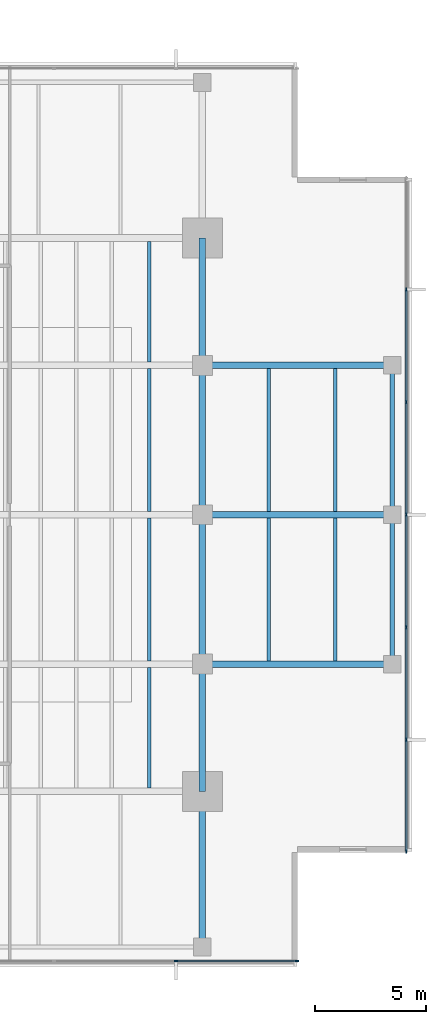
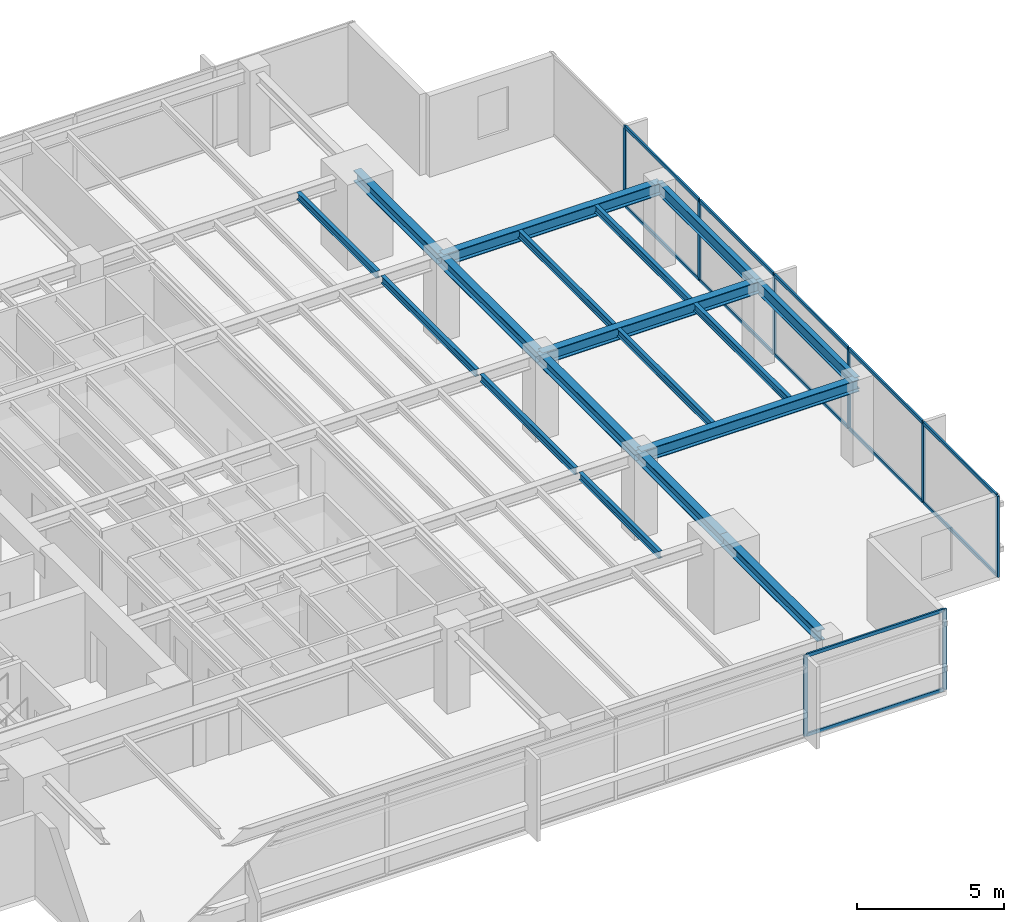
# One storey, part 4 of 14: 20 members, 18 beams, 2 elements without a shape of their own.
"""IFC4 building model written with IfcOpenShell, lengths in metres."""

import ifcopenshell
import ifcopenshell.guid

model = None  # the IFC model being written
_history = None  # IfcOwnerHistory: only IFC2X3 demands one
_inside = {}  # id of a spatial element -> (the spatial element, [elements in it])
_under = {}  # id of a project, library or spatial element -> (it, [spatial elements below it])
_declared = {}  # id of a project -> (the project, [libraries it declares])
_typed = {}  # id of a type object -> (the type object, [elements of that type])
_made_of = {}  # id of a material, layer set ... -> (it, [elements and type objects made of it])


def new_model(schema):
    """Start an empty IFC model of exactly this schema.

    Asked for "IFC4X3", IfcOpenShell would pick the latest addendum, in which some entities
    have other attributes; the version numbers below select the first issue.
    IFC2X3 requires an IfcOwnerHistory on every rooted entity: one is made here for all.
    """
    global model, _history
    if schema == "IFC4X3":
        model = ifcopenshell.file(schema_version=(4, 3, 0, 0))
    else:
        model = ifcopenshell.file(schema=schema)
    _inside.clear()
    _under.clear()
    _declared.clear()
    _typed.clear()
    _made_of.clear()
    _history = None
    if model.schema == "IFC2X3":
        org = make("IfcOrganization", Name="unknown")
        user = make(
            "IfcPersonAndOrganization",
            ThePerson=make("IfcPerson", FamilyName="unknown"),
            TheOrganization=org,
        )
        app = make(
            "IfcApplication",
            ApplicationDeveloper=org,
            Version="unknown",
            ApplicationFullName="unknown",
            ApplicationIdentifier="unknown",
        )
        _history = make(
            "IfcOwnerHistory",
            OwningUser=user,
            OwningApplication=app,
            ChangeAction="ADDED",
            CreationDate=0,
        )
    return model


def make(cls, **values):
    """One entity of the class cls with the attributes given. An attribute that is None is left unset."""
    return model.create_entity(
        cls, **{name: value for name, value in values.items() if value is not None}
    )


def rooted(cls, **values):
    """An entity with a GlobalId (a new one), such as an element, a storey or a relation."""
    return make(cls, GlobalId=ifcopenshell.guid.new(), OwnerHistory=_history, **values)


def si_unit(unit_type, name, prefix=None):
    """IfcSIUnit, for example si_unit("LENGTHUNIT", "METRE", prefix="MILLI")."""
    return make("IfcSIUnit", UnitType=unit_type, Prefix=prefix, Name=name)


def assignment(units):
    """IfcUnitAssignment: the units of a project."""
    return None if units is None else make("IfcUnitAssignment", Units=units)


def point(xyz):
    """IfcCartesianPoint."""
    return None if xyz is None else make("IfcCartesianPoint", Coordinates=xyz)


def direction(xyz):
    """IfcDirection."""
    return None if xyz is None else make("IfcDirection", DirectionRatios=xyz)


def frame(location, z_axis=None, x_axis=None):
    """IfcAxis2Placement3D, a coordinate frame: its origin and axes. An axis left out is left unset."""
    return make(
        "IfcAxis2Placement3D",
        Location=point(location),
        Axis=direction(z_axis),
        RefDirection=direction(x_axis),
    )


def frame_2d(location, x_axis=None):
    """IfcAxis2Placement2D, a coordinate frame in the plane: its origin and x axis."""
    return make(
        "IfcAxis2Placement2D", Location=point(location), RefDirection=direction(x_axis)
    )


def origin():
    """The frame at (0, 0, 0) with its axes left unset."""
    return frame((0.0, 0.0, 0.0))


def origin_2d():
    """The frame at (0, 0) in the plane with its x axis left unset."""
    return frame_2d((0.0, 0.0))


def place(relative_to, where):
    """IfcLocalPlacement: puts the frame where relative to a parent placement (None: the world)."""
    return make(
        "IfcLocalPlacement", PlacementRelTo=relative_to, RelativePlacement=where
    )


def context(
    kind, dimensions, precision=None, world=None, true_north=None, identifier=None
):
    """IfcGeometricRepresentationContext, for example the 3D "Model" context."""
    return make(
        "IfcGeometricRepresentationContext",
        ContextIdentifier=identifier,
        ContextType=kind,
        CoordinateSpaceDimension=dimensions,
        Precision=precision,
        WorldCoordinateSystem=world,
        TrueNorth=true_north,
    )


def subcontext(parent, identifier, kind, view, scale=None):
    """IfcGeometricRepresentationSubContext, for example "Body" below "Model"."""
    return make(
        "IfcGeometricRepresentationSubContext",
        ContextIdentifier=identifier,
        ContextType=kind,
        ParentContext=parent,
        TargetScale=scale,
        TargetView=view,
    )


def project(units=None, contexts=None):
    """IfcProject with its units and contexts."""
    return rooted(
        "IfcProject",
        Name="project",
        RepresentationContexts=contexts,
        UnitsInContext=assignment(units),
    )


def spatial(cls, under=None, at=None, **own):
    """A site, building, storey or space (cls), placed at a placement, below another one or the project."""
    s = rooted(cls, ObjectPlacement=at, **own)
    if under is not None:
        _under.setdefault(under.id(), (under, []))[1].append(s)
    return s


def profile(cls, at=None, kind="AREA", **sizes):
    """A parametric profile (cls). Its sizes go by their IFC names, for example OverallWidth=200.0."""
    return make(cls, ProfileType=kind, Position=at, **sizes)


def rectangle(**sizes):
    """IfcRectangleProfileDef."""
    return profile("IfcRectangleProfileDef", **sizes)


def i_section(**sizes):
    """IfcIShapeProfileDef."""
    return profile("IfcIShapeProfileDef", **sizes)


def extrude(swept, where, along, depth):
    """IfcExtrudedAreaSolid: the profile swept, set in the frame where, extruded along a direction by depth."""
    return make(
        "IfcExtrudedAreaSolid",
        SweptArea=swept,
        Position=where,
        ExtrudedDirection=direction(along),
        Depth=depth,
    )


def shape(context_of_items, identifier, shape_type, items):
    """IfcShapeRepresentation: the items that make up one representation, for example the "Body"."""
    return make(
        "IfcShapeRepresentation",
        ContextOfItems=context_of_items,
        RepresentationIdentifier=identifier,
        RepresentationType=shape_type,
        Items=items,
    )


def material(Name=None, Category=None):
    """IfcMaterial."""
    return make("IfcMaterial", Name=Name, Category=Category)


def layer(
    of_material, thickness, ventilated=None, Name=None, Category=None, Priority=None
):
    """IfcMaterialLayer: one layer of a wall or slab, of a material (None: an air gap)."""
    return make(
        "IfcMaterialLayer",
        Material=of_material,
        LayerThickness=thickness,
        IsVentilated=ventilated,
        Name=Name,
        Category=Category,
        Priority=Priority,
    )


def layer_set(layers, Name=None):
    """IfcMaterialLayerSet."""
    return make("IfcMaterialLayerSet", MaterialLayers=layers, LayerSetName=Name)


def material_profile(
    of_material, cross_section, Name=None, Category=None, Priority=None
):
    """IfcMaterialProfile: a cross section and its material."""
    return make(
        "IfcMaterialProfile",
        Name=Name,
        Material=of_material,
        Profile=cross_section,
        Priority=Priority,
        Category=Category,
    )


def profile_set(profiles, Name=None, composite=None):
    """IfcMaterialProfileSet."""
    return make(
        "IfcMaterialProfileSet",
        Name=Name,
        MaterialProfiles=profiles,
        CompositeProfile=composite,
    )


def made_of(thing, what):
    """Note that an element or type object is made of a material, layer set ...; save() writes the relation."""
    if what is not None:
        _made_of.setdefault(what.id(), (what, []))[1].append(thing)
    return thing


def type_object(cls, material=None, **own):
    """A type object (cls), such as IfcWallType, which elements share."""
    return made_of(rooted(cls, **own), material)


def element(
    cls,
    number,
    at=None,
    inside=None,
    cuts=None,
    type_object=None,
    material=None,
    context=None,
    identifier="Body",
    shape_type=None,
    held_by="IfcProductDefinitionShape",
    body=None,
    shapes=None,
    **own,
):
    """One element of the class cls, such as IfcWall. Its Tag is "e" and its number.

    at: its placement. inside: the storey or other place that contains it. cuts: it is an
    opening in that element (IfcRelVoidsElement). A single representation is given by context,
    identifier, shape_type and body (its items); several are given by shapes. held_by: the class
    of the entity that holds the representations. save() writes the other relations.
    """
    e = rooted(cls, Tag="e%d" % number, ObjectPlacement=at, **own)
    if body is not None:
        shapes = [shape(context, identifier, shape_type, body)]
    if shapes is not None:
        e.Representation = make(held_by, Representations=shapes)
    if inside is not None:
        _inside.setdefault(inside.id(), (inside, []))[1].append(e)
    if cuts is not None:
        rooted(
            "IfcRelVoidsElement", RelatingBuildingElement=cuts, RelatedOpeningElement=e
        )
    if type_object is not None:
        _typed.setdefault(type_object.id(), (type_object, []))[1].append(e)
    return made_of(e, material)


def aggregate(whole, parts):
    """IfcRelAggregates: a whole, such as a stair, and the parts it consists of."""
    return rooted("IfcRelAggregates", RelatingObject=whole, RelatedObjects=parts)


def save(model, path):
    """Write the relations noted so far, then the file.

    IfcRelAggregates (storeys below a building ...), IfcRelContainedInSpatialStructure (elements
    in a storey), IfcRelDefinesByType, IfcRelAssociatesMaterial and IfcRelDeclares: one each for
    every whole, place, type object, material and project.
    """
    for whole, parts in _under.values():
        aggregate(whole, parts)
    for where, things in _inside.values():
        rooted(
            "IfcRelContainedInSpatialStructure",
            RelatedElements=things,
            RelatingStructure=where,
        )
    for kind, things in _typed.values():
        rooted("IfcRelDefinesByType", RelatedObjects=things, RelatingType=kind)
    for what, things in _made_of.values():
        rooted("IfcRelAssociatesMaterial", RelatedObjects=things, RelatingMaterial=what)
    for by, libraries in _declared.values():
        rooted("IfcRelDeclares", RelatingContext=by, RelatedDefinitions=libraries)
    model.write(path)


model = new_model("IFC4")

# Units and contexts
model_context = context("Model", 3, precision=1e-05, world=origin(), true_north=direction((0.0, 1.0)))
body_context = subcontext(model_context, "Body", "Model", "MODEL_VIEW")
ifc_project = project(units=[si_unit("LENGTHUNIT", "METRE"), si_unit("AREAUNIT", "SQUARE_METRE"), si_unit("VOLUMEUNIT", "CUBIC_METRE"), si_unit("PLANEANGLEUNIT", "RADIAN"), si_unit("MASSUNIT", "GRAM", prefix="KILO")], contexts=[model_context])

# Site, building, storey
site_placement = place(None, origin())
site = spatial("IfcSite", under=ifc_project, at=site_placement, CompositionType="ELEMENT")
building_placement = place(site_placement, origin())
building = spatial("IfcBuilding", under=site, at=building_placement, Name="Kinhvarn Gate Tower", CompositionType="ELEMENT")
storey_placement = place(building_placement, frame((0.0, 0.0, 198.699951171875)))
storey = spatial("IfcBuildingStorey", under=building, at=storey_placement, Name="L52", CompositionType="ELEMENT", Elevation=198.699951171875)

# Curtain wall, members
ifc_material_1 = material(Name="Anodised aluminium AW-6063", Category="aluminium")
ifc_layer = layer(ifc_material_1, 0.179931640625)
ifc_layer_set = layer_set([ifc_layer], Name="Anodised aluminium AW-6063")
curtain_wall_type = type_object("IfcCurtainWallType", Name="CW-SYS-3", PredefinedType="NOTDEFINED", material=ifc_layer_set)
curtain_wall_1_placement = place(storey_placement, origin())
curtain_wall_1 = element("IfcCurtainWall", 1, at=curtain_wall_1_placement, inside=storey, type_object=curtain_wall_type, Name="Curtain Wall CW3 (L52)", PredefinedType="NOTDEFINED")
ifc_material_profile_1 = material_profile(ifc_material_1, rectangle(XDim=0.06494140625, YDim=0.159912109375, at=origin_2d()), Name="ALU 65x160")
ifc_profile_set_1 = profile_set([ifc_material_profile_1], Name="Anodised aluminium AW-6063")
member_type_1 = type_object("IfcMemberType", Name="CW-MUL-160", PredefinedType="MULLION", material=ifc_profile_set_1)
member_1_placement = place(storey_placement, frame((37.0, 5.090087890625, 0.0), z_axis=(0.0, 0.0, 1.0), x_axis=(0.0, 1.0, 0.0)))
member_1 = element("IfcMember", 2, at=member_1_placement, type_object=member_type_1, Name="CW3 mullion 6", PredefinedType="MULLION", context=body_context, shape_type="SweptSolid", body=[
    extrude(rectangle(XDim=0.06494140625, YDim=0.159912109375, at=origin_2d()), origin(), (0.0, 0.0, 1.0), 3.3701171875),
])
member_2_placement = place(storey_placement, frame((42.467529296875, 5.090087890625, 0.0), z_axis=(0.0, 0.0, 1.0), x_axis=(0.0, 1.0, 0.0)))
member_2 = element("IfcMember", 3, at=member_2_placement, type_object=member_type_1, Name="CW3 mullion 7", PredefinedType="MULLION", context=body_context, shape_type="SweptSolid", body=[
    extrude(rectangle(XDim=0.06494140625, YDim=0.159912109375, at=origin_2d()), origin(), (0.0, 0.0, 1.0), 3.3701171875),
])

curtain_wall_2_placement = place(storey_placement, origin())
curtain_wall_2 = element("IfcCurtainWall", 4, at=curtain_wall_2_placement, inside=storey, type_object=curtain_wall_type, Name="Curtain Wall CW3 (L52)", PredefinedType="NOTDEFINED")
member_3_placement = place(storey_placement, frame((47.409912109375, 10.032470703125, 0.0), z_axis=(0.0, 0.0, 1.0), x_axis=(-1.0, 0.0, 0.0)))
member_3 = element("IfcMember", 5, at=member_3_placement, type_object=member_type_1, Name="CW3 mullion 1", PredefinedType="MULLION", context=body_context, shape_type="SweptSolid", body=[
    extrude(rectangle(XDim=0.06494140625, YDim=0.159912109375, at=origin_2d()), origin(), (0.0, 0.0, 1.0), 3.3701171875),
])
member_4_placement = place(storey_placement, frame((47.409912109375, 15.083251953125, 0.0), z_axis=(0.0, 0.0, 1.0), x_axis=(-1.0, 0.0, 0.0)))
member_4 = element("IfcMember", 6, at=member_4_placement, type_object=member_type_1, Name="CW3 mullion 2", PredefinedType="MULLION", context=body_context, shape_type="SweptSolid", body=[
    extrude(rectangle(XDim=0.06494140625, YDim=0.159912109375, at=origin_2d()), origin(), (0.0, 0.0, 1.0), 3.3701171875),
])
member_5_placement = place(storey_placement, frame((47.409912109375, 20.166748046875, 0.0), z_axis=(0.0, 0.0, 1.0), x_axis=(-1.0, 0.0, 0.0)))
member_5 = element("IfcMember", 7, at=member_5_placement, type_object=member_type_1, Name="CW3 mullion 3", PredefinedType="MULLION", context=body_context, shape_type="SweptSolid", body=[
    extrude(rectangle(XDim=0.06494140625, YDim=0.159912109375, at=origin_2d()), origin(), (0.0, 0.0, 1.0), 3.3701171875),
])
member_6_placement = place(storey_placement, frame((47.409912109375, 25.25, 0.0), z_axis=(0.0, 0.0, 1.0), x_axis=(-1.0, 0.0, 0.0)))
member_6 = element("IfcMember", 8, at=member_6_placement, type_object=member_type_1, Name="CW3 mullion 4", PredefinedType="MULLION", context=body_context, shape_type="SweptSolid", body=[
    extrude(rectangle(XDim=0.06494140625, YDim=0.159912109375, at=origin_2d()), origin(), (0.0, 0.0, 1.0), 3.3701171875),
])
member_7_placement = place(storey_placement, frame((47.409912109375, 30.333251953125, 0.0), z_axis=(0.0, 0.0, 1.0), x_axis=(-1.0, 0.0, 0.0)))
member_7 = element("IfcMember", 9, at=member_7_placement, type_object=member_type_1, Name="CW3 mullion 5", PredefinedType="MULLION", context=body_context, shape_type="SweptSolid", body=[
    extrude(rectangle(XDim=0.06494140625, YDim=0.159912109375, at=origin_2d()), origin(), (0.0, 0.0, 1.0), 3.3701171875),
])
member_8_placement = place(storey_placement, frame((47.409912109375, 35.416748046875, 0.0), z_axis=(0.0, 0.0, 1.0), x_axis=(-1.0, 0.0, 0.0)))
member_8 = element("IfcMember", 10, at=member_8_placement, type_object=member_type_1, Name="CW3 mullion 6", PredefinedType="MULLION", context=body_context, shape_type="SweptSolid", body=[
    extrude(rectangle(XDim=0.06494140625, YDim=0.159912109375, at=origin_2d()), origin(), (0.0, 0.0, 1.0), 3.3701171875),
])

# Member
ifc_material_profile_2 = material_profile(ifc_material_1, rectangle(XDim=0.070068359375, YDim=0.139892578125, at=origin_2d()), Name="ALU 70x140")
ifc_profile_set_2 = profile_set([ifc_material_profile_2], Name="Anodised aluminium AW-6063")
member_type_2 = type_object("IfcMemberType", Name="CW-TRN-140", PredefinedType="USERDEFINED", material=ifc_profile_set_2)
member_9_placement = place(storey_placement, frame((37.032470703125, 5.090087890625, 0.03515625), z_axis=(1.0, 0.0, 0.0), x_axis=(0.0, 1.0, 0.0)))
member_9 = element("IfcMember", 11, at=member_9_placement, type_object=member_type_2, Name="CW3 transom 6.1", ObjectType="TRANSOM", PredefinedType="USERDEFINED", context=body_context, shape_type="SweptSolid", body=[
    extrude(rectangle(XDim=0.070068359375, YDim=0.139892578125, at=origin_2d()), origin(), (0.0, 0.0, 1.0), 5.402587890625),
])

member_10_placement = place(storey_placement, frame((37.032470703125, 5.090087890625, 3.3349609375), z_axis=(1.0, 0.0, 0.0), x_axis=(0.0, 1.0, 0.0)))
member_10 = element("IfcMember", 12, at=member_10_placement, type_object=member_type_2, Name="CW3 transom 6.2", ObjectType="TRANSOM", PredefinedType="USERDEFINED", context=body_context, shape_type="SweptSolid", body=[
    extrude(rectangle(XDim=0.070068359375, YDim=0.139892578125, at=origin_2d()), origin(), (0.0, 0.0, 1.0), 5.402587890625),
])

aggregate(curtain_wall_1, [member_1, member_2, member_9, member_10])

member_11_placement = place(storey_placement, frame((47.409912109375, 10.06494140625, 0.03515625), z_axis=(0.0, 1.0, 0.0), x_axis=(-1.0, 0.0, 0.0)))
member_11 = element("IfcMember", 13, at=member_11_placement, type_object=member_type_2, Name="CW3 transom 1.1", ObjectType="TRANSOM", PredefinedType="USERDEFINED", context=body_context, shape_type="SweptSolid", body=[
    extrude(rectangle(XDim=0.070068359375, YDim=0.139892578125, at=origin_2d()), origin(), (0.0, 0.0, 1.0), 4.98583984375),
])

member_12_placement = place(storey_placement, frame((47.409912109375, 10.06494140625, 3.3349609375), z_axis=(0.0, 1.0, 0.0), x_axis=(-1.0, 0.0, 0.0)))
member_12 = element("IfcMember", 14, at=member_12_placement, type_object=member_type_2, Name="CW3 transom 1.2", ObjectType="TRANSOM", PredefinedType="USERDEFINED", context=body_context, shape_type="SweptSolid", body=[
    extrude(rectangle(XDim=0.070068359375, YDim=0.139892578125, at=origin_2d()), origin(), (0.0, 0.0, 1.0), 4.98583984375),
])

member_13_placement = place(storey_placement, frame((47.409912109375, 15.11572265625, 0.03515625), z_axis=(0.0, 1.0, 0.0), x_axis=(-1.0, 0.0, 0.0)))
member_13 = element("IfcMember", 15, at=member_13_placement, type_object=member_type_2, Name="CW3 transom 2.1", ObjectType="TRANSOM", PredefinedType="USERDEFINED", context=body_context, shape_type="SweptSolid", body=[
    extrude(rectangle(XDim=0.070068359375, YDim=0.139892578125, at=origin_2d()), origin(), (0.0, 0.0, 1.0), 5.0185546875),
])

member_14_placement = place(storey_placement, frame((47.409912109375, 15.11572265625, 3.3349609375), z_axis=(0.0, 1.0, 0.0), x_axis=(-1.0, 0.0, 0.0)))
member_14 = element("IfcMember", 16, at=member_14_placement, type_object=member_type_2, Name="CW3 transom 2.2", ObjectType="TRANSOM", PredefinedType="USERDEFINED", context=body_context, shape_type="SweptSolid", body=[
    extrude(rectangle(XDim=0.070068359375, YDim=0.139892578125, at=origin_2d()), origin(), (0.0, 0.0, 1.0), 5.0185546875),
])

member_15_placement = place(storey_placement, frame((47.409912109375, 20.19921875, 0.03515625), z_axis=(0.0, 1.0, 0.0), x_axis=(-1.0, 0.0, 0.0)))
member_15 = element("IfcMember", 17, at=member_15_placement, type_object=member_type_2, Name="CW3 transom 3.1", ObjectType="TRANSOM", PredefinedType="USERDEFINED", context=body_context, shape_type="SweptSolid", body=[
    extrude(rectangle(XDim=0.070068359375, YDim=0.139892578125, at=origin_2d()), origin(), (0.0, 0.0, 1.0), 5.018310546875),
])

member_16_placement = place(storey_placement, frame((47.409912109375, 20.19921875, 3.3349609375), z_axis=(0.0, 1.0, 0.0), x_axis=(-1.0, 0.0, 0.0)))
member_16 = element("IfcMember", 18, at=member_16_placement, type_object=member_type_2, Name="CW3 transom 3.2", ObjectType="TRANSOM", PredefinedType="USERDEFINED", context=body_context, shape_type="SweptSolid", body=[
    extrude(rectangle(XDim=0.070068359375, YDim=0.139892578125, at=origin_2d()), origin(), (0.0, 0.0, 1.0), 5.018310546875),
])

member_17_placement = place(storey_placement, frame((47.409912109375, 25.282470703125, 0.03515625), z_axis=(0.0, 1.0, 0.0), x_axis=(-1.0, 0.0, 0.0)))
member_17 = element("IfcMember", 19, at=member_17_placement, type_object=member_type_2, Name="CW3 transom 4.1", ObjectType="TRANSOM", PredefinedType="USERDEFINED", context=body_context, shape_type="SweptSolid", body=[
    extrude(rectangle(XDim=0.070068359375, YDim=0.139892578125, at=origin_2d()), origin(), (0.0, 0.0, 1.0), 5.018310546875),
])

member_18_placement = place(storey_placement, frame((47.409912109375, 25.282470703125, 3.3349609375), z_axis=(0.0, 1.0, 0.0), x_axis=(-1.0, 0.0, 0.0)))
member_18 = element("IfcMember", 20, at=member_18_placement, type_object=member_type_2, Name="CW3 transom 4.2", ObjectType="TRANSOM", PredefinedType="USERDEFINED", context=body_context, shape_type="SweptSolid", body=[
    extrude(rectangle(XDim=0.070068359375, YDim=0.139892578125, at=origin_2d()), origin(), (0.0, 0.0, 1.0), 5.018310546875),
])

member_19_placement = place(storey_placement, frame((47.409912109375, 30.36572265625, 0.03515625), z_axis=(0.0, 1.0, 0.0), x_axis=(-1.0, 0.0, 0.0)))
member_19 = element("IfcMember", 21, at=member_19_placement, type_object=member_type_2, Name="CW3 transom 5.1", ObjectType="TRANSOM", PredefinedType="USERDEFINED", context=body_context, shape_type="SweptSolid", body=[
    extrude(rectangle(XDim=0.070068359375, YDim=0.139892578125, at=origin_2d()), origin(), (0.0, 0.0, 1.0), 5.0185546875),
])

member_20_placement = place(storey_placement, frame((47.409912109375, 30.36572265625, 3.3349609375), z_axis=(0.0, 1.0, 0.0), x_axis=(-1.0, 0.0, 0.0)))
member_20 = element("IfcMember", 22, at=member_20_placement, type_object=member_type_2, Name="CW3 transom 5.2", ObjectType="TRANSOM", PredefinedType="USERDEFINED", context=body_context, shape_type="SweptSolid", body=[
    extrude(rectangle(XDim=0.070068359375, YDim=0.139892578125, at=origin_2d()), origin(), (0.0, 0.0, 1.0), 5.0185546875),
])

aggregate(curtain_wall_2, [member_3, member_4, member_5, member_6, member_7, member_8, member_11, member_12, member_13, member_14, member_15, member_16, member_17, member_18, member_19, member_20])

# Beams
ifc_material_2 = material(Name="Steel S355", Category="steel")
ifc_material_profile_3 = material_profile(ifc_material_2, i_section(OverallWidth=0.300048828125, OverallDepth=0.449951171875, WebThickness=0.013916015625, FlangeThickness=0.02587890625, at=origin_2d()), Name="HEB 450")
ifc_profile_set_3 = profile_set([ifc_material_profile_3], Name="Steel S355")
beam_type_1 = type_object("IfcBeamType", Name="STL-HEB450", PredefinedType="BEAM", material=ifc_profile_set_3)
beam_1_placement = place(storey_placement, frame((38.199951171875, 6.10498046875, 3.14501953125), z_axis=(0.0, 1.0, 0.0), x_axis=(-1.0, 0.0, 0.0)))
element("IfcBeam", 23, at=beam_1_placement, inside=storey, type_object=beam_type_1, Name="Floor Beam PG-13 (L52 MCE-S)", PredefinedType="BEAM", context=body_context, shape_type="SweptSolid", body=[
    extrude(i_section(OverallWidth=0.300048828125, OverallDepth=0.449951171875, WebThickness=0.013916015625, FlangeThickness=0.02587890625, at=origin_2d()), origin(), (0.0, 0.0, 1.0), 6.64501953125),
])
beam_2_placement = place(storey_placement, frame((38.199951171875, 12.75, 3.14501953125), z_axis=(0.0, 1.0, 0.0), x_axis=(-1.0, 0.0, 0.0)))
element("IfcBeam", 24, at=beam_2_placement, inside=storey, type_object=beam_type_1, Name="Floor Beam PG-13 (L52 MG-E-12)", PredefinedType="BEAM", context=body_context, shape_type="SweptSolid", body=[
    extrude(i_section(OverallWidth=0.300048828125, OverallDepth=0.449951171875, WebThickness=0.013916015625, FlangeThickness=0.02587890625, at=origin_2d()), origin(), (0.0, 0.0, 1.0), 5.75),
])
for number, where, z_axis, x_axis, name in (
    (25, (38.199951171875, 18.5, 3.14501953125), (0.0, 1.0, 0.0), (-1.0, 0.0, 0.0), "Floor Beam PG-13 (L52 MG-E-18)"),
    (26, (38.199951171875, 25.25, 3.14501953125), (0.0, 1.0, 0.0), (-1.0, 0.0, 0.0), "Floor Beam PG-13 (L52 MG-E-25)"),
):
    element("IfcBeam", number, at=place(storey_placement, frame(where, z_axis=z_axis, x_axis=x_axis)), inside=storey, type_object=beam_type_1, Name=name, PredefinedType="BEAM", context=body_context, shape_type="SweptSolid", body=[
        extrude(i_section(OverallWidth=0.300048828125, OverallDepth=0.449951171875, WebThickness=0.013916015625, FlangeThickness=0.02587890625, at=origin_2d()), origin(), (0.0, 0.0, 1.0), 6.75),
    ])
beam_3_placement = place(storey_placement, frame((38.199951171875, 32.0, 3.14501953125), z_axis=(0.0, 1.0, 0.0), x_axis=(-1.0, 0.0, 0.0)))
element("IfcBeam", 27, at=beam_3_placement, inside=storey, type_object=beam_type_1, Name="Floor Beam PG-13 (L52 MG-E-32)", PredefinedType="BEAM", context=body_context, shape_type="SweptSolid", body=[
    extrude(i_section(OverallWidth=0.300048828125, OverallDepth=0.449951171875, WebThickness=0.013916015625, FlangeThickness=0.02587890625, at=origin_2d()), origin(), (0.0, 0.0, 1.0), 5.75),
])
ifc_material_profile_4 = material_profile(ifc_material_2, i_section(OverallWidth=0.300048828125, OverallDepth=0.5, WebThickness=0.014404296875, FlangeThickness=0.028076171875, at=origin_2d()), Name="HEB 500")
ifc_profile_set_4 = profile_set([ifc_material_profile_4], Name="Steel S355")
beam_type_2 = type_object("IfcBeamType", Name="STL-HEB500", PredefinedType="BEAM", material=ifc_profile_set_4)
for number, where, z_axis, x_axis, name in (
    (28, (38.199951171875, 18.5, 3.1201171875), (1.0, 0.0, 0.0), (0.0, 1.0, 0.0), "Floor Beam PG-14 (L52 EW2-Y18)"),
    (29, (38.199951171875, 25.25, 3.1201171875), (1.0, 0.0, 0.0), (0.0, 1.0, 0.0), "Floor Beam PG-14 (L52 EW2-Y25)"),
    (30, (38.199951171875, 32.0, 3.1201171875), (1.0, 0.0, 0.0), (0.0, 1.0, 0.0), "Floor Beam PG-14 (L52 EW2-Y32)"),
):
    element("IfcBeam", number, at=place(storey_placement, frame(where, z_axis=z_axis, x_axis=x_axis)), inside=storey, type_object=beam_type_2, Name=name, PredefinedType="BEAM", context=body_context, shape_type="SweptSolid", body=[
        extrude(i_section(OverallWidth=0.300048828125, OverallDepth=0.5, WebThickness=0.014404296875, FlangeThickness=0.028076171875, at=origin_2d()), origin(), (0.0, 0.0, 1.0), 8.580078125),
    ])
ifc_material_profile_5 = material_profile(ifc_material_2, i_section(OverallWidth=0.14990234375, OverallDepth=0.300048828125, WebThickness=0.007080078125, FlangeThickness=0.0107421875, at=origin_2d()), Name="IPE 300")
ifc_profile_set_5 = profile_set([ifc_material_profile_5], Name="Steel S355")
beam_type_3 = type_object("IfcBeamType", Name="STL-IPE300", PredefinedType="JOIST", material=ifc_profile_set_5)
beam_4_placement = place(storey_placement, frame((35.800048828125, 12.89990234375, 3.219970703125), z_axis=(0.0, 1.0, 0.0), x_axis=(-1.0, 0.0, 0.0)))
element("IfcBeam", 31, at=beam_4_placement, inside=storey, type_object=beam_type_3, Name="Floor Joist SB-02 (L52 JC-X358-0)", PredefinedType="JOIST", context=body_context, shape_type="SweptSolid", body=[
    extrude(i_section(OverallWidth=0.14990234375, OverallDepth=0.300048828125, WebThickness=0.007080078125, FlangeThickness=0.0107421875, at=origin_2d()), origin(), (0.0, 0.0, 1.0), 5.4501953125),
])
for number, where, z_axis, x_axis, name in (
    (32, (35.800048828125, 18.64990234375, 3.219970703125), (0.0, 1.0, 0.0), (-1.0, 0.0, 0.0), "Floor Joist SB-02 (L52 JC-X358-1)"),
    (33, (35.800048828125, 25.39990234375, 3.219970703125), (0.0, 1.0, 0.0), (-1.0, 0.0, 0.0), "Floor Joist SB-02 (L52 JC-X358-2)"),
):
    element("IfcBeam", number, at=place(storey_placement, frame(where, z_axis=z_axis, x_axis=x_axis)), inside=storey, type_object=beam_type_3, Name=name, PredefinedType="JOIST", context=body_context, shape_type="SweptSolid", body=[
        extrude(i_section(OverallWidth=0.14990234375, OverallDepth=0.300048828125, WebThickness=0.007080078125, FlangeThickness=0.0107421875, at=origin_2d()), origin(), (0.0, 0.0, 1.0), 6.4501953125),
    ])
beam_5_placement = place(storey_placement, frame((35.800048828125, 32.14990234375, 3.219970703125), z_axis=(0.0, 1.0, 0.0), x_axis=(-1.0, 0.0, 0.0)))
element("IfcBeam", 34, at=beam_5_placement, inside=storey, type_object=beam_type_3, Name="Floor Joist SB-02 (L52 JC-X358-3)", PredefinedType="JOIST", context=body_context, shape_type="SweptSolid", body=[
    extrude(i_section(OverallWidth=0.14990234375, OverallDepth=0.300048828125, WebThickness=0.007080078125, FlangeThickness=0.0107421875, at=origin_2d()), origin(), (0.0, 0.0, 1.0), 5.4501953125),
])
for number, where, z_axis, x_axis, name in (
    (35, (41.199951171875, 18.64990234375, 3.219970703125), (0.0, 1.0, 0.0), (-1.0, 0.0, 0.0), "Floor Joist SB-02 (L52 JC-X412-1)"),
    (36, (41.199951171875, 25.39990234375, 3.219970703125), (0.0, 1.0, 0.0), (-1.0, 0.0, 0.0), "Floor Joist SB-02 (L52 JC-X412-2)"),
    (37, (44.2099609375, 18.64990234375, 3.219970703125), (0.0, 1.0, 0.0), (-1.0, 0.0, 0.0), "Floor Joist SB-02 (L52 JC-X442-1)"),
    (38, (44.2099609375, 25.39990234375, 3.219970703125), (0.0, 1.0, 0.0), (-1.0, 0.0, 0.0), "Floor Joist SB-02 (L52 JC-X442-2)"),
):
    element("IfcBeam", number, at=place(storey_placement, frame(where, z_axis=z_axis, x_axis=x_axis)), inside=storey, type_object=beam_type_3, Name=name, PredefinedType="JOIST", context=body_context, shape_type="SweptSolid", body=[
        extrude(i_section(OverallWidth=0.14990234375, OverallDepth=0.300048828125, WebThickness=0.007080078125, FlangeThickness=0.0107421875, at=origin_2d()), origin(), (0.0, 0.0, 1.0), 6.4501953125),
    ])
ifc_material_profile_6 = material_profile(ifc_material_2, i_section(OverallWidth=0.199951171875, OverallDepth=0.5, WebThickness=0.01025390625, FlangeThickness=0.01611328125, at=origin_2d()), Name="IPE 500")
ifc_profile_set_6 = profile_set([ifc_material_profile_6], Name="Steel S355")
beam_type_4 = type_object("IfcBeamType", Name="STL-IPE500", PredefinedType="SPANDREL", material=ifc_profile_set_6)
for number, where, z_axis, x_axis, name in (
    (39, (46.780029296875, 18.5, 3.1201171875), (0.0, 1.0, 0.0), (-1.0, 0.0, 0.0), "Floor Spandrel SB-07 (L52 SP-E2)"),
    (40, (46.780029296875, 25.25, 3.1201171875), (0.0, 1.0, 0.0), (-1.0, 0.0, 0.0), "Floor Spandrel SB-07 (L52 SP-E3)"),
):
    element("IfcBeam", number, at=place(storey_placement, frame(where, z_axis=z_axis, x_axis=x_axis)), inside=storey, type_object=beam_type_4, Name=name, PredefinedType="SPANDREL", context=body_context, shape_type="SweptSolid", body=[
        extrude(i_section(OverallWidth=0.199951171875, OverallDepth=0.5, WebThickness=0.01025390625, FlangeThickness=0.01611328125, at=origin_2d()), origin(), (0.0, 0.0, 1.0), 6.75),
    ])

save(model, "model.ifc")
